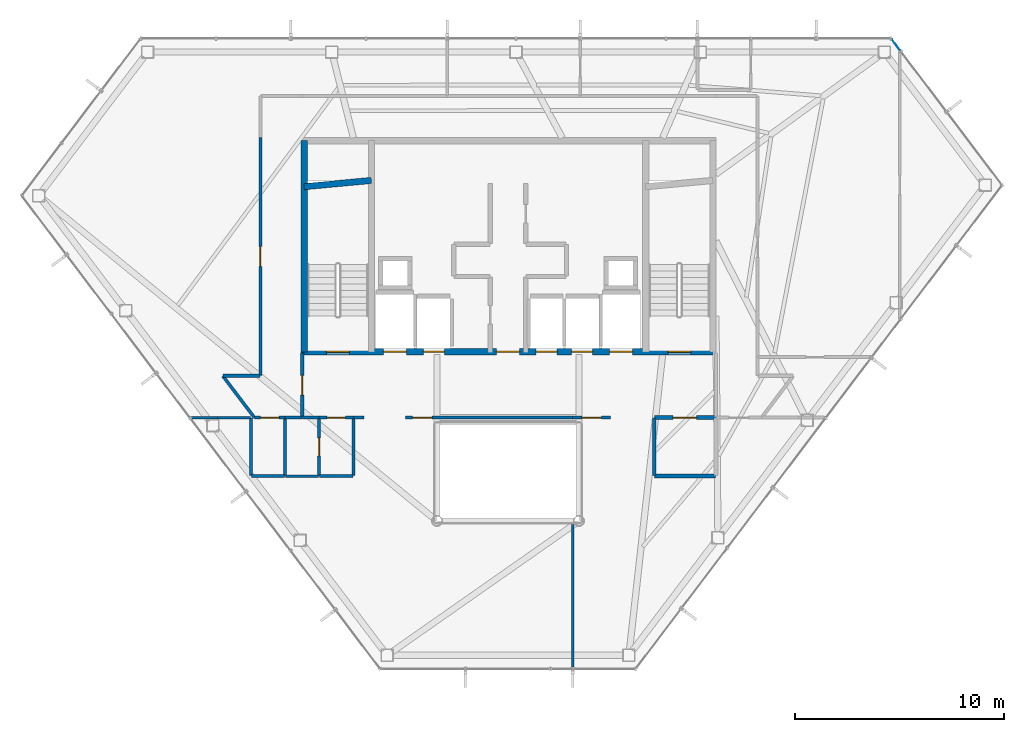
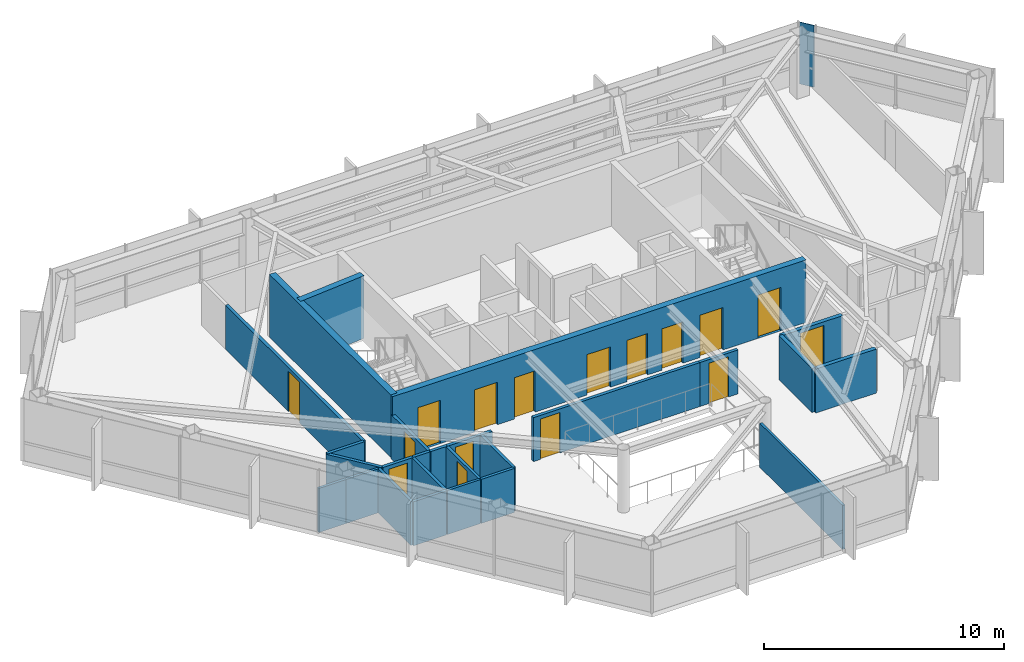
# One storey, part 25 of 28: 27 walls, 16 doors, 1 plate, 16 openings, 1 element without a shape of its own.
"""IFC4 building model written with IfcOpenShell, lengths in metres."""

from ifc_helpers import new_model, si_unit, direction, frame, frame_2d, origin, origin_2d, place, context, subcontext, project, spatial, rectangle, extrude, material, layer, layer_set, type_object, element, fill, aggregate, save


model = new_model("IFC4")

# Units and contexts
model_context = context("Model", 3, precision=1e-05, world=origin(), true_north=direction((0.0, 1.0)))
body_context = subcontext(model_context, "Body", "Model", "MODEL_VIEW")
ifc_project = project(units=[si_unit("LENGTHUNIT", "METRE"), si_unit("AREAUNIT", "SQUARE_METRE"), si_unit("VOLUMEUNIT", "CUBIC_METRE"), si_unit("PLANEANGLEUNIT", "RADIAN"), si_unit("MASSUNIT", "GRAM", prefix="KILO")], contexts=[model_context])

# Site, building, storey
site_placement = place(None, origin())
site = spatial("IfcSite", under=ifc_project, at=site_placement, CompositionType="ELEMENT")
building_placement = place(site_placement, origin())
building = spatial("IfcBuilding", under=site, at=building_placement, Name="Zarrinselat Tower", CompositionType="ELEMENT")
storey_placement = place(building_placement, frame((0.0, 0.0, 222.360107421875)))
storey = spatial("IfcBuildingStorey", under=building, at=storey_placement, Name="L55", CompositionType="ELEMENT", Elevation=222.360107421875)

# Curtain wall, plate
ifc_material_1 = material(Name="Extruded Aluminium Alloy EN AW-6063 T6", Category="aluminium")
ifc_layer_1 = layer(ifc_material_1, 0.169921875)
ifc_layer_set_1 = layer_set([ifc_layer_1], Name="Extruded Aluminium Alloy EN AW-6063 T6")
curtain_wall_type = type_object("IfcCurtainWallType", Name="CWS-RES", PredefinedType="NOTDEFINED", material=ifc_layer_set_1)
curtain_wall_placement = place(storey_placement, origin())
curtain_wall = element("IfcCurtainWall", 1, at=curtain_wall_placement, inside=storey, type_object=curtain_wall_type, Name="L55 Unitised Curtain Wall CW-L55-E06", PredefinedType="NOTDEFINED")
ifc_material_2 = material(Name="Double Low-E Laminated Solar Glass", Category="glass")
ifc_layer_2 = layer(ifc_material_2, 0.028076171875)
ifc_layer_set_2 = layer_set([ifc_layer_2], Name="Double Low-E Laminated Solar Glass")
plate_type = type_object("IfcPlateType", Name="PLT-CW-GL28", PredefinedType="CURTAIN_PANEL", material=ifc_layer_set_2)
plate_placement = place(storey_placement, frame((56.968994140625, 47.991455078125, 0.02001953125), z_axis=(0.0, 0.0, 1.0), x_axis=(-0.603860312232, 0.797090160089, 0.0)))
plate = element("IfcPlate", 2, at=plate_placement, type_object=plate_type, Name="CW-L55-E06 Vision Glass Panel 3", PredefinedType="CURTAIN_PANEL", context=body_context, shape_type="SweptSolid", body=[
    extrude(rectangle(XDim=0.659912109375, YDim=0.028076171875, at=origin_2d()), origin(), (0.0, 0.0, 1.0), 3.139892578125),
])
aggregate(curtain_wall, [plate])

# Wall, opening, door
ifc_material_3 = material(Name="Concrete C40/50", Category="concrete")
ifc_layer_3 = layer(ifc_material_3, 0.18994140625)
ifc_layer_set_3 = layer_set([ifc_layer_3], Name="Concrete C40/50")
wall_type_1 = type_object("IfcWallType", Name="WAL-PART-EI120", PredefinedType="PARTITIONING", material=ifc_layer_set_3)
wall_1_placement = place(storey_placement, frame((45.405029296875, 30.14990234375, 0.0), z_axis=(0.0, 0.0, 1.0), x_axis=(1.0, 0.0, 0.0)))
wall_1 = element("IfcWall", 3, at=wall_1_placement, inside=storey, type_object=wall_type_1, Name="L55 Partition Wall 11", PredefinedType="PARTITIONING", context=body_context, shape_type="SweptSolid", body=[
    extrude(rectangle(XDim=2.925048828125, YDim=0.18994140625, at=frame_2d((1.46240234375, 0.0))), origin(), (0.0, 0.0, 1.0), 2.23486328125),
])
opening_1_placement = place(wall_1_placement, frame((0.902587890625, 0.0, 0.0)))
opening_1 = element("IfcOpeningElement", 4, at=opening_1_placement, cuts=wall_1, Name="Opening ID-02", PredefinedType="OPENING", context=body_context, shape_type="SweptSolid", body=[
    extrude(rectangle(XDim=1.1201171875, YDim=2.050048828125, at=frame_2d((0.56005859375, 1.02490234375))), frame((0.0, 0.10498046875, 0.0), z_axis=(0.0, -1.0, 0.0), x_axis=(1.0, 0.0, 0.0)), (0.0, 0.0, 1.0), 0.2099609375),
])
ifc_material_4 = material(Name="Steel S355J2", Category="steel")
door_type_1 = type_object("IfcDoorType", Name="DR-INT-FD60-W", OperationType="NOTDEFINED", PredefinedType="DOOR", material=ifc_material_4)
door_1_placement = place(opening_1_placement, origin())
door_1 = element("IfcDoor", 5, at=door_1_placement, inside=storey, type_object=door_type_1, Name="L55 Interior Door P11", OperationType="SINGLE_SWING_RIGHT", OverallHeight=2.050048828125, OverallWidth=1.1201171875, PredefinedType="DOOR", context=body_context, shape_type="SweptSolid", body=[
    extrude(rectangle(XDim=1.1201171875, YDim=2.050048828125, at=frame_2d((0.56005859375, 1.02490234375))), frame((0.0, 0.02490234375, 0.0), z_axis=(0.0, -1.0, 0.0), x_axis=(1.0, 0.0, 0.0)), (0.0, 0.0, 1.0), 0.050048828125),
])
fill(opening_1, door_1)

# Walls
wall_2_placement = place(storey_placement, frame((45.419921875, 27.35009765625, 0.0), z_axis=(0.0, 0.0, 1.0), x_axis=(1.0, 0.0, 0.0)))
element("IfcWall", 6, at=wall_2_placement, inside=storey, type_object=wall_type_1, Name="L55 Partition Wall 19", PredefinedType="PARTITIONING", context=body_context, shape_type="SweptSolid", body=[
    extrude(rectangle(XDim=2.91015625, YDim=0.18994140625, at=frame_2d((1.455078125, 0.0))), origin(), (0.0, 0.0, 1.0), 2.23486328125),
])
wall_3_placement = place(storey_placement, frame((45.39990234375, 27.3701171875, 0.0), z_axis=(0.0, 0.0, 1.0), x_axis=(0.0, 1.0, 0.0)))
element("IfcWall", 7, at=wall_3_placement, inside=storey, type_object=wall_type_1, Name="L55 Partition Wall 20", PredefinedType="PARTITIONING", context=body_context, shape_type="SweptSolid", body=[
    extrude(rectangle(XDim=2.759765625, YDim=0.18994140625, at=frame_2d((1.3798828125, 0.0))), origin(), (0.0, 0.0, 1.0), 2.23486328125),
])

# Wall, opening, door
ifc_material_5 = material(Name="Fire-Rated Gypsum Board Partition", Category="gypsum")
ifc_layer_4 = layer(ifc_material_5, 0.14990234375)
ifc_layer_set_4 = layer_set([ifc_layer_4], Name="Fire-Rated Gypsum Board Partition")
wall_type_2 = type_object("IfcWallType", Name="WAL-PART-EI60", PredefinedType="PARTITIONING", material=ifc_layer_set_4)
wall_4_placement = place(storey_placement, frame((28.550048828125, 30.169921875, 0.0), z_axis=(0.0, 0.0, 1.0), x_axis=(0.0, 1.0, 0.0)))
wall_4 = element("IfcWall", 8, at=wall_4_placement, inside=storey, type_object=wall_type_2, Name="L55 Partition Wall 12", PredefinedType="PARTITIONING", context=body_context, shape_type="SweptSolid", body=[
    extrude(rectangle(XDim=3.06005859375, YDim=0.14990234375, at=frame_2d((1.530029296875, 0.0))), origin(), (0.0, 0.0, 1.0), 2.23486328125),
])
opening_2_placement = place(wall_4_placement, frame((1.06005859375, 0.0, 0.0)))
opening_2 = element("IfcOpeningElement", 9, at=opening_2_placement, cuts=wall_4, Name="Opening ID-04", PredefinedType="OPENING", context=body_context, shape_type="SweptSolid", body=[
    extrude(rectangle(XDim=0.93994140625, YDim=2.050048828125, at=frame_2d((0.469970703125, 1.02490234375))), frame((0.0, 0.0849609375, 0.0), z_axis=(0.0, -1.0, 0.0), x_axis=(1.0, 0.0, 0.0)), (0.0, 0.0, 1.0), 0.169921875),
])
ifc_material_6 = material(Name="Fire-Rated Gypsum Board Partition")
door_type_2 = type_object("IfcDoorType", Name="DR-INT-FD30-ENT", OperationType="NOTDEFINED", PredefinedType="DOOR", material=ifc_material_6)
door_2_placement = place(opening_2_placement, origin())
door_2 = element("IfcDoor", 10, at=door_2_placement, inside=storey, type_object=door_type_2, Name="L55 Interior Door P12", OperationType="SINGLE_SWING_LEFT", OverallHeight=2.050048828125, OverallWidth=0.93994140625, PredefinedType="DOOR", context=body_context, shape_type="SweptSolid", body=[
    extrude(rectangle(XDim=0.93994140625, YDim=2.050048828125, at=frame_2d((0.469970703125, 1.02490234375))), frame((0.0, 0.02490234375, 0.0), z_axis=(0.0, -1.0, 0.0), x_axis=(1.0, 0.0, 0.0)), (0.0, 0.0, 1.0), 0.050048828125),
])
fill(opening_2, door_2)

wall_5_placement = place(storey_placement, frame((29.364990234375, 30.14990234375, 0.0), z_axis=(0.0, 0.0, 1.0), x_axis=(1.0, 0.0, 0.0)))
wall_5 = element("IfcWall", 11, at=wall_5_placement, inside=storey, type_object=wall_type_2, Name="L55 Partition Wall 14", PredefinedType="PARTITIONING", context=body_context, shape_type="SweptSolid", body=[
    extrude(rectangle(XDim=1.630126953125, YDim=0.14990234375, at=frame_2d((0.81494140625, 0.0))), origin(), (0.0, 0.0, 1.0), 2.23486328125),
])
opening_3_placement = place(wall_5_placement, frame((0.375, 0.0, 0.0)))
opening_3 = element("IfcOpeningElement", 12, at=opening_3_placement, cuts=wall_5, Name="Opening ID-03", PredefinedType="OPENING", context=body_context, shape_type="SweptSolid", body=[
    extrude(rectangle(XDim=0.8798828125, YDim=2.050048828125, at=frame_2d((0.43994140625, 1.02490234375))), frame((0.0, 0.0849609375, 0.0), z_axis=(0.0, -1.0, 0.0), x_axis=(1.0, 0.0, 0.0)), (0.0, 0.0, 1.0), 0.169921875),
])
ifc_material_7 = material(Name="Steel S355J2", Category="steel")
door_type_3 = type_object("IfcDoorType", Name="DR-INT-FD60-S", OperationType="NOTDEFINED", PredefinedType="DOOR", material=ifc_material_7)
door_3_placement = place(opening_3_placement, origin())
door_3 = element("IfcDoor", 13, at=door_3_placement, inside=storey, type_object=door_type_3, Name="L55 Interior Door P14", OperationType="SINGLE_SWING_RIGHT", OverallHeight=2.050048828125, OverallWidth=0.8798828125, PredefinedType="DOOR", context=body_context, shape_type="SweptSolid", body=[
    extrude(rectangle(XDim=0.8798828125, YDim=2.050048828125, at=frame_2d((0.43994140625, 1.02490234375))), frame((0.0, 0.02490234375, 0.0), z_axis=(0.0, -1.0, 0.0), x_axis=(1.0, 0.0, 0.0)), (0.0, 0.0, 1.0), 0.050048828125),
])
fill(opening_3, door_3)

# Wall
wall_6_placement = place(storey_placement, frame((28.570068359375, 30.14990234375, 0.0), z_axis=(0.0, 0.0, 1.0), x_axis=(1.0, 0.0, 0.0)))
element("IfcWall", 14, at=wall_6_placement, inside=storey, type_object=wall_type_2, Name="L55 Partition Wall 15", PredefinedType="PARTITIONING", context=body_context, shape_type="SweptSolid", body=[
    extrude(rectangle(XDim=0.784912109375, YDim=0.14990234375, at=frame_2d((0.392578125, 0.0))), origin(), (0.0, 0.0, 1.0), 2.23486328125),
])

# Wall, opening, door
wall_7_placement = place(storey_placement, frame((33.485107421875, 30.14990234375, 0.0), z_axis=(0.0, 0.0, 1.0), x_axis=(1.0, 0.0, 0.0)))
wall_7 = element("IfcWall", 15, at=wall_7_placement, inside=storey, type_object=wall_type_2, Name="L55 Partition Wall 16", PredefinedType="PARTITIONING", context=body_context, shape_type="SweptSolid", body=[
    extrude(rectangle(XDim=8.02978515625, YDim=0.14990234375, at=frame_2d((4.014892578125, 0.0))), origin(), (0.0, 0.0, 1.0), 2.23486328125),
])
opening_4_placement = place(wall_7_placement, frame((0.344970703125, 0.0, 0.0)))
opening_4 = element("IfcOpeningElement", 16, at=opening_4_placement, cuts=wall_7, Name="Opening ID-04", PredefinedType="OPENING", context=body_context, shape_type="SweptSolid", body=[
    extrude(rectangle(XDim=0.93994140625, YDim=2.050048828125, at=frame_2d((0.469970703125, 1.02490234375))), frame((0.0, 0.0849609375, 0.0), z_axis=(0.0, -1.0, 0.0), x_axis=(1.0, 0.0, 0.0)), (0.0, 0.0, 1.0), 0.169921875),
])
door_4_placement = place(opening_4_placement, origin())
door_4 = element("IfcDoor", 17, at=door_4_placement, inside=storey, type_object=door_type_2, Name="L55 Interior Door P16", OperationType="SINGLE_SWING_LEFT", OverallHeight=2.050048828125, OverallWidth=0.93994140625, PredefinedType="DOOR", context=body_context, shape_type="SweptSolid", body=[
    extrude(rectangle(XDim=0.93994140625, YDim=2.050048828125, at=frame_2d((0.469970703125, 1.02490234375))), frame((0.0, 0.02490234375, 0.0), z_axis=(0.0, -1.0, 0.0), x_axis=(1.0, 0.0, 0.0)), (0.0, 0.0, 1.0), 0.050048828125),
])
fill(opening_4, door_4)

# Wall
wall_8_placement = place(storey_placement, frame((31.0048828125, 30.14990234375, 0.0), z_axis=(0.0, 0.0, 1.0), x_axis=(1.0, 0.0, 0.0)))
element("IfcWall", 18, at=wall_8_placement, inside=storey, type_object=wall_type_2, Name="L55 Partition Wall 17", PredefinedType="PARTITIONING", context=body_context, shape_type="SweptSolid", body=[
    extrude(rectangle(XDim=0.510009765625, YDim=0.14990234375, at=frame_2d((0.2548828125, 0.0))), origin(), (0.0, 0.0, 1.0), 2.23486328125),
])

# Wall, opening, door
wall_9_placement = place(storey_placement, frame((41.485107421875, 30.14990234375, 0.0), z_axis=(0.0, 0.0, 1.0), x_axis=(1.0, 0.0, 0.0)))
wall_9 = element("IfcWall", 19, at=wall_9_placement, inside=storey, type_object=wall_type_2, Name="L55 Partition Wall 18", PredefinedType="PARTITIONING", context=body_context, shape_type="SweptSolid", body=[
    extrude(rectangle(XDim=1.829833984375, YDim=0.14990234375, at=frame_2d((0.9150390625, 0.0))), origin(), (0.0, 0.0, 1.0), 2.23486328125),
])
opening_5_placement = place(wall_9_placement, frame((0.445068359375, 0.0, 0.0)))
opening_5 = element("IfcOpeningElement", 20, at=opening_5_placement, cuts=wall_9, Name="Opening ID-04", PredefinedType="OPENING", context=body_context, shape_type="SweptSolid", body=[
    extrude(rectangle(XDim=0.93994140625, YDim=2.050048828125, at=frame_2d((0.469970703125, 1.02490234375))), frame((0.0, 0.0849609375, 0.0), z_axis=(0.0, -1.0, 0.0), x_axis=(1.0, 0.0, 0.0)), (0.0, 0.0, 1.0), 0.169921875),
])
door_5_placement = place(opening_5_placement, origin())
door_5 = element("IfcDoor", 21, at=door_5_placement, inside=storey, type_object=door_type_2, Name="L55 Interior Door P18", OperationType="SINGLE_SWING_RIGHT", OverallHeight=2.050048828125, OverallWidth=0.93994140625, PredefinedType="DOOR", context=body_context, shape_type="SweptSolid", body=[
    extrude(rectangle(XDim=0.93994140625, YDim=2.050048828125, at=frame_2d((0.469970703125, 1.02490234375))), frame((0.0, 0.02490234375, 0.0), z_axis=(0.0, -1.0, 0.0), x_axis=(1.0, 0.0, 0.0)), (0.0, 0.0, 1.0), 0.050048828125),
])
fill(opening_5, door_5)

wall_10_placement = place(storey_placement, frame((26.27490234375, 30.14990234375, 0.0), z_axis=(0.0, 0.0, 1.0), x_axis=(1.0, 0.0, 0.0)))
wall_10 = element("IfcWall", 22, at=wall_10_placement, inside=storey, type_object=wall_type_2, Name="L55 Partition Wall 22", PredefinedType="PARTITIONING", context=body_context, shape_type="SweptSolid", body=[
    extrude(rectangle(XDim=1.4501953125, YDim=0.14990234375, at=frame_2d((0.72509765625, 0.0))), origin(), (0.0, 0.0, 1.0), 2.23486328125),
])
opening_6_placement = place(wall_10_placement, frame((0.28515625, 0.0, 0.0)))
opening_6 = element("IfcOpeningElement", 23, at=opening_6_placement, cuts=wall_10, Name="Opening ID-03", PredefinedType="OPENING", context=body_context, shape_type="SweptSolid", body=[
    extrude(rectangle(XDim=0.8798828125, YDim=2.050048828125, at=frame_2d((0.43994140625, 1.02490234375))), frame((0.0, 0.0849609375, 0.0), z_axis=(0.0, -1.0, 0.0), x_axis=(1.0, 0.0, 0.0)), (0.0, 0.0, 1.0), 0.169921875),
])
door_6_placement = place(opening_6_placement, origin())
door_6 = element("IfcDoor", 24, at=door_6_placement, inside=storey, type_object=door_type_3, Name="L55 Interior Door P22", OperationType="SINGLE_SWING_LEFT", OverallHeight=2.050048828125, OverallWidth=0.8798828125, PredefinedType="DOOR", context=body_context, shape_type="SweptSolid", body=[
    extrude(rectangle(XDim=0.8798828125, YDim=2.050048828125, at=frame_2d((0.43994140625, 1.02490234375))), frame((0.0, 0.02490234375, 0.0), z_axis=(0.0, -1.0, 0.0), x_axis=(1.0, 0.0, 0.0)), (0.0, 0.0, 1.0), 0.050048828125),
])
fill(opening_6, door_6)

# Walls
wall_11_placement = place(storey_placement, frame((27.735107421875, 30.14990234375, 0.0), z_axis=(0.0, 0.0, 1.0), x_axis=(1.0, 0.0, 0.0)))
element("IfcWall", 25, at=wall_11_placement, inside=storey, type_object=wall_type_2, Name="L55 Partition Wall 23", PredefinedType="PARTITIONING", context=body_context, shape_type="SweptSolid", body=[
    extrude(rectangle(XDim=0.794921875, YDim=0.14990234375, at=frame_2d((0.3974609375, 0.0))), origin(), (0.0, 0.0, 1.0), 2.23486328125),
])
wall_12_placement = place(storey_placement, frame((24.7568359375, 32.134033203125, 0.0), z_axis=(0.0, 0.0, 1.0), x_axis=(0.603806698968, -0.797130773638, 0.0)))
element("IfcWall", 26, at=wall_12_placement, inside=storey, type_object=wall_type_2, Name="L55 Partition Wall 25", PredefinedType="PARTITIONING", context=body_context, shape_type="SweptSolid", body=[
    extrude(rectangle(XDim=2.489013671875, YDim=0.14990234375, at=frame_2d((1.24462890625, 0.0))), origin(), (0.0, 0.0, 1.0), 2.23486328125),
])
wall_13_placement = place(storey_placement, frame((24.7646484375, 32.14990234375, 0.0), z_axis=(0.0, 0.0, 1.0), x_axis=(1.0, 0.0, 0.0)))
element("IfcWall", 27, at=wall_13_placement, inside=storey, type_object=wall_type_2, Name="L55 Partition Wall 26", PredefinedType="PARTITIONING", context=body_context, shape_type="SweptSolid", body=[
    extrude(rectangle(XDim=1.765380859375, YDim=0.14990234375, at=frame_2d((0.8828125, 0.0))), origin(), (0.0, 0.0, 1.0), 2.23486328125),
])

# Wall, opening, door
wall_14_placement = place(storey_placement, frame((26.550048828125, 32.169921875, 0.0), z_axis=(0.0, 0.0, 1.0), x_axis=(0.0, 1.0, 0.0)))
wall_14 = element("IfcWall", 28, at=wall_14_placement, inside=storey, type_object=wall_type_2, Name="L55 Partition Wall 27", PredefinedType="PARTITIONING", context=body_context, shape_type="SweptSolid", body=[
    extrude(rectangle(XDim=11.380126953125, YDim=0.14990234375, at=frame_2d((5.68994140625, 0.0))), origin(), (0.0, 0.0, 1.0), 2.23486328125),
])
opening_7_placement = place(wall_14_placement, frame((5.219970703125, 0.0, 0.0)))
opening_7 = element("IfcOpeningElement", 29, at=opening_7_placement, cuts=wall_14, Name="Opening ID-04", PredefinedType="OPENING", context=body_context, shape_type="SweptSolid", body=[
    extrude(rectangle(XDim=0.93994140625, YDim=2.050048828125, at=frame_2d((0.469970703125, 1.02490234375))), frame((0.0, 0.0849609375, 0.0), z_axis=(0.0, -1.0, 0.0), x_axis=(1.0, 0.0, 0.0)), (0.0, 0.0, 1.0), 0.169921875),
])
door_7_placement = place(opening_7_placement, origin())
door_7 = element("IfcDoor", 30, at=door_7_placement, inside=storey, type_object=door_type_2, Name="L55 Interior Door P27", OperationType="SINGLE_SWING_LEFT", OverallHeight=2.050048828125, OverallWidth=0.93994140625, PredefinedType="DOOR", context=body_context, shape_type="SweptSolid", body=[
    extrude(rectangle(XDim=0.93994140625, YDim=2.050048828125, at=frame_2d((0.469970703125, 1.02490234375))), frame((0.0, 0.02490234375, 0.0), z_axis=(0.0, -1.0, 0.0), x_axis=(1.0, 0.0, 0.0)), (0.0, 0.0, 1.0), 0.050048828125),
])
fill(opening_7, door_7)

# Walls
ifc_material_8 = material(Name="Fire-Rated Gypsum Board Partition", Category="gypsum")
ifc_layer_5 = layer(ifc_material_8, 0.1201171875)
ifc_layer_set_5 = layer_set([ifc_layer_5], Name="Fire-Rated Gypsum Board Partition")
wall_type_3 = type_object("IfcWallType", Name="WAL-PART-STD", PredefinedType="PARTITIONING", material=ifc_layer_set_5)
wall_15_placement = place(storey_placement, frame((27.75, 27.35009765625, 0.0), z_axis=(0.0, 0.0, 1.0), x_axis=(1.0, 0.0, 0.0)))
element("IfcWall", 31, at=wall_15_placement, inside=storey, type_object=wall_type_3, Name="L55 Partition Wall 45", PredefinedType="PARTITIONING", context=body_context, shape_type="SweptSolid", body=[
    extrude(rectangle(XDim=1.590087890625, YDim=0.1201171875, at=frame_2d((0.794921875, 0.0))), origin(), (0.0, 0.0, 1.0), 2.23486328125),
])
wall_16_placement = place(storey_placement, frame((41.5, 18.131591796875, 0.0), z_axis=(0.0, 0.0, 1.0), x_axis=(0.0, 1.0, 0.0)))
element("IfcWall", 32, at=wall_16_placement, inside=storey, type_object=wall_type_3, Name="L55 Partition Wall 46", PredefinedType="PARTITIONING", context=body_context, shape_type="SweptSolid", body=[
    extrude(rectangle(XDim=6.888427734375, YDim=0.1201171875, at=frame_2d((3.4443359375, 0.0))), origin(), (0.0, 0.0, 1.0), 2.23486328125),
])
wall_17_placement = place(storey_placement, frame((23.188720703125, 30.14990234375, 0.0), z_axis=(0.0, 0.0, 1.0), x_axis=(1.0, 0.0, 0.0)))
element("IfcWall", 33, at=wall_17_placement, inside=storey, type_object=wall_type_3, Name="L55 Partition Wall 47", PredefinedType="PARTITIONING", context=body_context, shape_type="SweptSolid", body=[
    extrude(rectangle(XDim=1.311279296875, YDim=0.1201171875, at=frame_2d((0.65576171875, 0.0))), origin(), (0.0, 0.0, 1.0), 2.23486328125),
])
wall_18_placement = place(storey_placement, frame((24.5, 30.14990234375, 0.0), z_axis=(0.0, 0.0, 1.0), x_axis=(1.0, 0.0, 0.0)))
element("IfcWall", 34, at=wall_18_placement, inside=storey, type_object=wall_type_3, Name="L55 Partition Wall 48", PredefinedType="PARTITIONING", context=body_context, shape_type="SweptSolid", body=[
    extrude(rectangle(XDim=1.580078125, YDim=0.1201171875, at=frame_2d((0.7900390625, 0.0))), origin(), (0.0, 0.0, 1.0), 2.23486328125),
])

# Wall, opening, door
ifc_material_9 = material(Name="Fire-Rated Gypsum Board Partition", Category="gypsum")
ifc_layer_6 = layer(ifc_material_9, 0.135009765625)
ifc_layer_set_6 = layer_set([ifc_layer_6], Name="Fire-Rated Gypsum Board Partition")
wall_type_4 = type_object("IfcWallType", Name="WAL-PART-WET", PredefinedType="PARTITIONING", material=ifc_layer_set_6)
wall_19_placement = place(storey_placement, frame((29.360107421875, 27.3701171875, 0.0), z_axis=(0.0, 0.0, 1.0), x_axis=(0.0, 1.0, 0.0)))
wall_19 = element("IfcWall", 35, at=wall_19_placement, inside=storey, type_object=wall_type_4, Name="L55 Partition Wall 39", PredefinedType="PARTITIONING", context=body_context, shape_type="SweptSolid", body=[
    extrude(rectangle(XDim=2.759765625, YDim=0.135009765625, at=frame_2d((1.3798828125, 0.0))), origin(), (0.0, 0.0, 1.0), 2.23486328125),
])
opening_8_placement = place(wall_19_placement, frame((0.949951171875, 0.0, 0.0)))
opening_8 = element("IfcOpeningElement", 36, at=opening_8_placement, cuts=wall_19, Name="Opening ID-06", PredefinedType="OPENING", context=body_context, shape_type="SweptSolid", body=[
    extrude(rectangle(XDim=0.860107421875, YDim=2.050048828125, at=frame_2d((0.43017578125, 1.02490234375))), frame((0.0, 0.077392578125, 0.0), z_axis=(0.0, -1.0, 0.0), x_axis=(1.0, 0.0, 0.0)), (0.0, 0.0, 1.0), 0.155029296875),
])
ifc_material_10 = material(Name="Extruded Aluminium Alloy EN AW-6063 T6", Category="aluminium")
door_type_4 = type_object("IfcDoorType", Name="DR-INT-WET-900", OperationType="NOTDEFINED", PredefinedType="DOOR", material=ifc_material_10)
door_8_placement = place(opening_8_placement, origin())
door_8 = element("IfcDoor", 37, at=door_8_placement, inside=storey, type_object=door_type_4, Name="L55 Interior Door P39", OperationType="SINGLE_SWING_LEFT", OverallHeight=2.050048828125, OverallWidth=0.860107421875, PredefinedType="DOOR", context=body_context, shape_type="SweptSolid", body=[
    extrude(rectangle(XDim=0.860107421875, YDim=2.050048828125, at=frame_2d((0.43017578125, 1.02490234375))), frame((0.0, 0.02490234375, 0.0), z_axis=(0.0, -1.0, 0.0), x_axis=(1.0, 0.0, 0.0)), (0.0, 0.0, 1.0), 0.050048828125),
])
fill(opening_8, door_8)

# Walls
wall_20_placement = place(storey_placement, frame((29.3798828125, 27.35009765625, 0.0), z_axis=(0.0, 0.0, 1.0), x_axis=(1.0, 0.0, 0.0)))
element("IfcWall", 38, at=wall_20_placement, inside=storey, type_object=wall_type_4, Name="L55 Partition Wall 40", PredefinedType="PARTITIONING", context=body_context, shape_type="SweptSolid", body=[
    extrude(rectangle(XDim=1.60009765625, YDim=0.135009765625, at=frame_2d((0.800048828125, 0.0))), origin(), (0.0, 0.0, 1.0), 2.23486328125),
])
for number, where, z_axis, x_axis, name in (
    (39, (31.0, 27.3701171875, 0.0), (0.0, 0.0, 1.0), (0.0, 1.0, 0.0), "L55 Partition Wall 41"),
    (40, (27.72998046875, 27.3701171875, 0.0), (0.0, 0.0, 1.0), (0.0, 1.0, 0.0), "L55 Partition Wall 42"),
):
    element("IfcWall", number, at=place(storey_placement, frame(where, z_axis=z_axis, x_axis=x_axis)), inside=storey, type_object=wall_type_4, Name=name, PredefinedType="PARTITIONING", context=body_context, shape_type="SweptSolid", body=[
        extrude(rectangle(XDim=2.759765625, YDim=0.135009765625, at=frame_2d((1.3798828125, 0.0))), origin(), (0.0, 0.0, 1.0), 2.23486328125),
    ])
wall_21_placement = place(storey_placement, frame((26.1201171875, 27.35009765625, 0.0), z_axis=(0.0, 0.0, 1.0), x_axis=(1.0, 0.0, 0.0)))
element("IfcWall", 41, at=wall_21_placement, inside=storey, type_object=wall_type_4, Name="L55 Partition Wall 43", PredefinedType="PARTITIONING", context=body_context, shape_type="SweptSolid", body=[
    extrude(rectangle(XDim=1.58984375, YDim=0.135009765625, at=frame_2d((0.794921875, 0.0))), origin(), (0.0, 0.0, 1.0), 2.23486328125),
])
wall_22_placement = place(storey_placement, frame((26.10009765625, 27.3701171875, 0.0), z_axis=(0.0, 0.0, 1.0), x_axis=(0.0, 1.0, 0.0)))
element("IfcWall", 42, at=wall_22_placement, inside=storey, type_object=wall_type_4, Name="L55 Partition Wall 44", PredefinedType="PARTITIONING", context=body_context, shape_type="SweptSolid", body=[
    extrude(rectangle(XDim=2.759765625, YDim=0.135009765625, at=frame_2d((1.3798828125, 0.0))), origin(), (0.0, 0.0, 1.0), 2.23486328125),
])

# Wall, openings, doors
ifc_material_11 = material(Name="Concrete C40/50", Category="concrete")
ifc_layer_7 = layer(ifc_material_11, 0.300048828125)
ifc_layer_set_7 = layer_set([ifc_layer_7], Name="Concrete C40/50")
wall_type_5 = type_object("IfcWallType", Name="WAL-SHEAR-300", PredefinedType="SHEAR", material=ifc_layer_set_7)
wall_23_placement = place(storey_placement, frame((28.5, 33.300048828125, 0.0), z_axis=(0.0, 0.0, 1.0), x_axis=(1.0, 0.0, 0.0)))
wall_23 = element("IfcWall", 43, at=wall_23_placement, inside=storey, type_object=wall_type_5, Name="L55 South Core Shear Wall", PredefinedType="SHEAR", context=body_context, shape_type="SweptSolid", body=[
    extrude(rectangle(XDim=19.860107421875, YDim=0.300048828125, at=frame_2d((9.93017578125, 0.0))), origin(), (0.0, 0.0, 1.0), 3.179931640625),
])
opening_9_placement = place(wall_23_placement, frame((3.929931640625, 0.0, 0.0)))
opening_9 = element("IfcOpeningElement", 44, at=opening_9_placement, cuts=wall_23, Name="Opening LD-FFL1", PredefinedType="OPENING", context=body_context, shape_type="SweptSolid", body=[
    extrude(rectangle(XDim=1.10009765625, YDim=2.14990234375, at=frame_2d((0.550048828125, 1.074951171875))), frame((0.0, 0.159912109375, 0.0), z_axis=(0.0, -1.0, 0.0), x_axis=(1.0, 0.0, 0.0)), (0.0, 0.0, 1.0), 0.320068359375),
])
opening_10_placement = place(wall_23_placement, frame((14.77001953125, 0.0, 0.0)))
opening_10 = element("IfcOpeningElement", 45, at=opening_10_placement, cuts=wall_23, Name="Opening LD-FFL2", PredefinedType="OPENING", context=body_context, shape_type="SweptSolid", body=[
    extrude(rectangle(XDim=1.10009765625, YDim=2.14990234375, at=frame_2d((0.550048828125, 1.074951171875))), frame((0.0, 0.159912109375, 0.0), z_axis=(0.0, -1.0, 0.0), x_axis=(1.0, 0.0, 0.0)), (0.0, 0.0, 1.0), 0.320068359375),
])
opening_11_placement = place(wall_23_placement, frame((11.25, 0.0, 0.0)))
opening_11 = element("IfcOpeningElement", 46, at=opening_11_placement, cuts=wall_23, Name="Opening LD-PL8", PredefinedType="OPENING", context=body_context, shape_type="SweptSolid", body=[
    extrude(rectangle(XDim=1.0, YDim=2.10009765625, at=frame_2d((0.5, 1.050048828125))), frame((0.0, 0.159912109375, 0.0), z_axis=(0.0, -1.0, 0.0), x_axis=(1.0, 0.0, 0.0)), (0.0, 0.0, 1.0), 0.320068359375),
])
opening_12_placement = place(wall_23_placement, frame((12.949951171875, 0.0, 0.0)))
opening_12 = element("IfcOpeningElement", 47, at=opening_12_placement, cuts=wall_23, Name="Opening LD-PL9", PredefinedType="OPENING", context=body_context, shape_type="SweptSolid", body=[
    extrude(rectangle(XDim=1.0, YDim=2.10009765625, at=frame_2d((0.5, 1.050048828125))), frame((0.0, 0.159912109375, 0.0), z_axis=(0.0, -1.0, 0.0), x_axis=(1.0, 0.0, 0.0)), (0.0, 0.0, 1.0), 0.320068359375),
])
opening_13_placement = place(wall_23_placement, frame((5.85009765625, 0.0, 0.0)))
opening_13 = element("IfcOpeningElement", 48, at=opening_13_placement, cuts=wall_23, Name="Opening LD-PL10", PredefinedType="OPENING", context=body_context, shape_type="SweptSolid", body=[
    extrude(rectangle(XDim=1.0, YDim=2.10009765625, at=frame_2d((0.5, 1.050048828125))), frame((0.0, 0.159912109375, 0.0), z_axis=(0.0, -1.0, 0.0), x_axis=(1.0, 0.0, 0.0)), (0.0, 0.0, 1.0), 0.320068359375),
])
opening_14_placement = place(wall_23_placement, frame((1.2099609375, 0.0, 0.0)))
opening_14 = element("IfcOpeningElement", 49, at=opening_14_placement, cuts=wall_23, Name="Opening SD-01", PredefinedType="OPENING", context=body_context, shape_type="SweptSolid", body=[
    extrude(rectangle(XDim=1.10009765625, YDim=2.199951171875, at=frame_2d((0.550048828125, 1.10009765625))), frame((0.0, 0.159912109375, 0.0), z_axis=(0.0, -1.0, 0.0), x_axis=(1.0, 0.0, 0.0)), (0.0, 0.0, 1.0), 0.320068359375),
])
opening_15_placement = place(wall_23_placement, frame((9.340087890625, 0.0, 0.0)))
opening_15 = element("IfcOpeningElement", 50, at=opening_15_placement, cuts=wall_23, Name="Opening ID-02", PredefinedType="OPENING", context=body_context, shape_type="SweptSolid", body=[
    extrude(rectangle(XDim=1.1201171875, YDim=2.050048828125, at=frame_2d((0.56005859375, 1.02490234375))), frame((0.0, 0.159912109375, 0.0), z_axis=(0.0, -1.0, 0.0), x_axis=(1.0, 0.0, 0.0)), (0.0, 0.0, 1.0), 0.320068359375),
])
opening_16_placement = place(wall_23_placement, frame((17.550048828125, 0.0, 0.0)))
opening_16 = element("IfcOpeningElement", 51, at=opening_16_placement, cuts=wall_23, Name="Opening SD-01", PredefinedType="OPENING", context=body_context, shape_type="SweptSolid", body=[
    extrude(rectangle(XDim=1.10009765625, YDim=2.199951171875, at=frame_2d((0.550048828125, 1.10009765625))), frame((0.0, 0.159912109375, 0.0), z_axis=(0.0, -1.0, 0.0), x_axis=(1.0, 0.0, 0.0)), (0.0, 0.0, 1.0), 0.320068359375),
])
door_9_placement = place(opening_15_placement, origin())
door_9 = element("IfcDoor", 52, at=door_9_placement, inside=storey, type_object=door_type_1, Name="L55 Core Service Vestibule Fire Door", OperationType="SINGLE_SWING_LEFT", OverallHeight=2.050048828125, OverallWidth=1.1201171875, PredefinedType="DOOR", context=body_context, shape_type="SweptSolid", body=[
    extrude(rectangle(XDim=1.1201171875, YDim=2.050048828125, at=frame_2d((0.56005859375, 1.02490234375))), frame((0.0, 0.02490234375, 0.0), z_axis=(0.0, -1.0, 0.0), x_axis=(1.0, 0.0, 0.0)), (0.0, 0.0, 1.0), 0.050048828125),
])
fill(opening_15, door_9)
ifc_material_12 = material(Name="Steel S355J2", Category="steel")
door_type_5 = type_object("IfcDoorType", Name="DR-LIFT-FF-1100", OperationType="NOTDEFINED", PredefinedType="DOOR", material=ifc_material_12)
door_10_placement = place(opening_9_placement, origin())
door_10 = element("IfcDoor", 53, at=door_10_placement, inside=storey, type_object=door_type_5, Name="L55 Lift FFL1 Sliding Landing Door", OperationType="SLIDING_TO_LEFT", OverallHeight=2.14990234375, OverallWidth=1.10009765625, PredefinedType="DOOR", context=body_context, shape_type="SweptSolid", body=[
    extrude(rectangle(XDim=1.10009765625, YDim=2.14990234375, at=frame_2d((0.550048828125, 1.074951171875))), frame((0.0, 0.02490234375, 0.0), z_axis=(0.0, -1.0, 0.0), x_axis=(1.0, 0.0, 0.0)), (0.0, 0.0, 1.0), 0.050048828125),
])
fill(opening_9, door_10)
door_11_placement = place(opening_10_placement, origin())
door_11 = element("IfcDoor", 54, at=door_11_placement, inside=storey, type_object=door_type_5, Name="L55 Lift FFL2 Sliding Landing Door", OperationType="SLIDING_TO_RIGHT", OverallHeight=2.14990234375, OverallWidth=1.10009765625, PredefinedType="DOOR", context=body_context, shape_type="SweptSolid", body=[
    extrude(rectangle(XDim=1.10009765625, YDim=2.14990234375, at=frame_2d((0.550048828125, 1.074951171875))), frame((0.0, 0.02490234375, 0.0), z_axis=(0.0, -1.0, 0.0), x_axis=(1.0, 0.0, 0.0)), (0.0, 0.0, 1.0), 0.050048828125),
])
fill(opening_10, door_11)
ifc_material_13 = material(Name="Steel S355J2", Category="steel")
door_type_6 = type_object("IfcDoorType", Name="DR-LIFT-PS-1000", OperationType="NOTDEFINED", PredefinedType="DOOR", material=ifc_material_13)
door_12_placement = place(opening_11_placement, origin())
door_12 = element("IfcDoor", 55, at=door_12_placement, inside=storey, type_object=door_type_6, Name="L55 Lift PL8 Sliding Landing Door", OperationType="SLIDING_TO_RIGHT", OverallHeight=2.10009765625, OverallWidth=1.0, PredefinedType="DOOR", context=body_context, shape_type="SweptSolid", body=[
    extrude(rectangle(XDim=1.0, YDim=2.10009765625, at=frame_2d((0.5, 1.050048828125))), frame((0.0, 0.02490234375, 0.0), z_axis=(0.0, -1.0, 0.0), x_axis=(1.0, 0.0, 0.0)), (0.0, 0.0, 1.0), 0.050048828125),
])
fill(opening_11, door_12)
door_13_placement = place(opening_12_placement, origin())
door_13 = element("IfcDoor", 56, at=door_13_placement, inside=storey, type_object=door_type_6, Name="L55 Lift PL9 Sliding Landing Door", OperationType="SLIDING_TO_LEFT", OverallHeight=2.10009765625, OverallWidth=1.0, PredefinedType="DOOR", context=body_context, shape_type="SweptSolid", body=[
    extrude(rectangle(XDim=1.0, YDim=2.10009765625, at=frame_2d((0.5, 1.050048828125))), frame((0.0, 0.02490234375, 0.0), z_axis=(0.0, -1.0, 0.0), x_axis=(1.0, 0.0, 0.0)), (0.0, 0.0, 1.0), 0.050048828125),
])
fill(opening_12, door_13)
door_14_placement = place(opening_13_placement, origin())
door_14 = element("IfcDoor", 57, at=door_14_placement, inside=storey, type_object=door_type_6, Name="L55 Lift PL10 Sliding Landing Door", OperationType="SLIDING_TO_RIGHT", OverallHeight=2.10009765625, OverallWidth=1.0, PredefinedType="DOOR", context=body_context, shape_type="SweptSolid", body=[
    extrude(rectangle(XDim=1.0, YDim=2.10009765625, at=frame_2d((0.5, 1.050048828125))), frame((0.0, 0.02490234375, 0.0), z_axis=(0.0, -1.0, 0.0), x_axis=(1.0, 0.0, 0.0)), (0.0, 0.0, 1.0), 0.050048828125),
])
fill(opening_13, door_14)
ifc_material_14 = material(Name="Steel S355J2", Category="steel")
door_type_7 = type_object("IfcDoorType", Name="DR-STAIR-1100", OperationType="NOTDEFINED", PredefinedType="DOOR", material=ifc_material_14)
door_15_placement = place(opening_14_placement, origin())
door_15 = element("IfcDoor", 58, at=door_15_placement, inside=storey, type_object=door_type_7, Name="L55 Exit Stair 1 Fire Door", OperationType="SINGLE_SWING_LEFT", OverallHeight=2.199951171875, OverallWidth=1.10009765625, PredefinedType="DOOR", context=body_context, shape_type="SweptSolid", body=[
    extrude(rectangle(XDim=1.10009765625, YDim=2.199951171875, at=frame_2d((0.550048828125, 1.10009765625))), frame((0.0, 0.02490234375, 0.0), z_axis=(0.0, -1.0, 0.0), x_axis=(1.0, 0.0, 0.0)), (0.0, 0.0, 1.0), 0.050048828125),
])
fill(opening_14, door_15)
door_16_placement = place(opening_16_placement, origin())
door_16 = element("IfcDoor", 59, at=door_16_placement, inside=storey, type_object=door_type_7, Name="L55 Exit Stair 2 Fire Door", OperationType="SINGLE_SWING_RIGHT", OverallHeight=2.199951171875, OverallWidth=1.10009765625, PredefinedType="DOOR", context=body_context, shape_type="SweptSolid", body=[
    extrude(rectangle(XDim=1.10009765625, YDim=2.199951171875, at=frame_2d((0.550048828125, 1.10009765625))), frame((0.0, 0.02490234375, 0.0), z_axis=(0.0, -1.0, 0.0), x_axis=(1.0, 0.0, 0.0)), (0.0, 0.0, 1.0), 0.050048828125),
])
fill(opening_16, door_16)

# Walls
wall_24_placement = place(storey_placement, frame((28.64990234375, 33.300048828125, 0.0), z_axis=(0.0, 0.0, 1.0), x_axis=(0.0, 1.0, 0.0)))
element("IfcWall", 60, at=wall_24_placement, inside=storey, type_object=wall_type_5, Name="L55 Core Shear Wall W", PredefinedType="SHEAR", context=body_context, shape_type="SweptSolid", body=[
    extrude(rectangle(XDim=10.099853515625, YDim=0.300048828125, at=frame_2d((5.0498046875, 0.0))), origin(), (0.0, 0.0, 1.0), 3.179931640625),
])
wall_25_placement = place(storey_placement, frame((28.639892578125, 41.199951171875, 0.0), z_axis=(0.0, 0.0, 1.0), x_axis=(0.995687118776, 0.092774789157, 0.0)))
element("IfcWall", 61, at=wall_25_placement, inside=storey, type_object=wall_type_5, Name="L55 Stair 1 North Shaft Wall", PredefinedType="SHEAR", context=body_context, shape_type="SweptSolid", body=[
    extrude(rectangle(XDim=3.234130859375, YDim=0.300048828125, at=frame_2d((1.6171875, 0.0))), origin(), (0.0, 0.0, 1.0), 3.179931640625),
])

save(model, "model.ifc")
